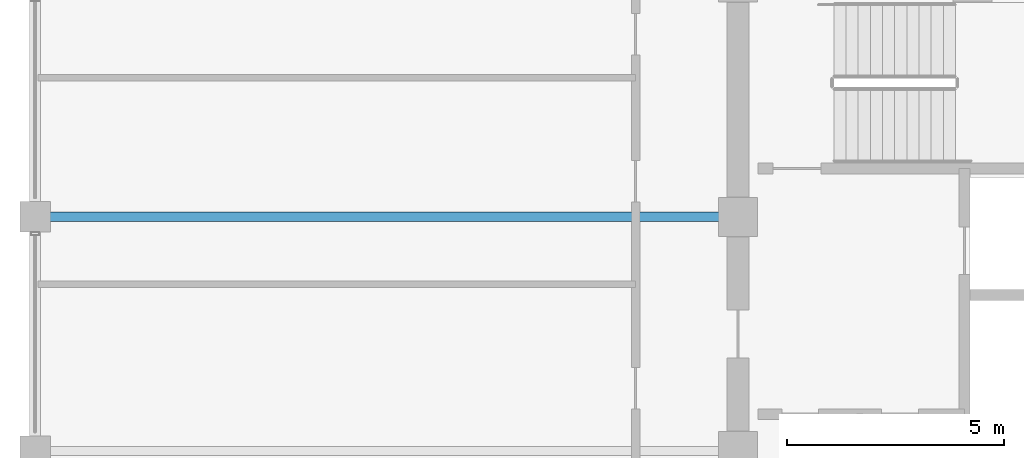
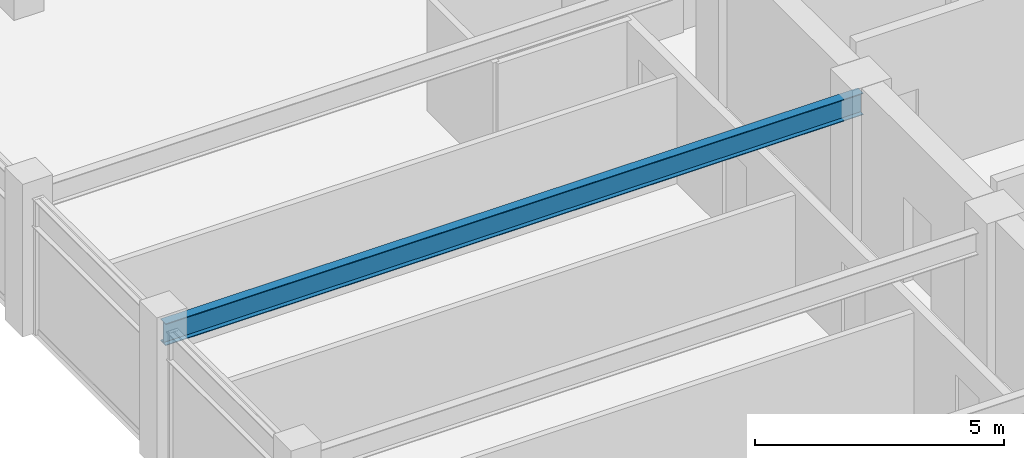
# One storey, part 11 of 31: 1 beam.
"""IFC4 building model written with IfcOpenShell, lengths in metres."""

from ifc_helpers import new_model, si_unit, direction, frame, origin, origin_2d, place, context, subcontext, project, spatial, i_section, extrude, material, material_profile, profile_set, type_object, element, save


model = new_model("IFC4")

# Units and contexts
model_context = context("Model", 3, precision=1e-05, world=origin(), true_north=direction((0.0, 1.0)))
body_context = subcontext(model_context, "Body", "Model", "MODEL_VIEW")
ifc_project = project(units=[si_unit("LENGTHUNIT", "METRE"), si_unit("AREAUNIT", "SQUARE_METRE"), si_unit("VOLUMEUNIT", "CUBIC_METRE"), si_unit("PLANEANGLEUNIT", "RADIAN"), si_unit("MASSUNIT", "GRAM", prefix="KILO")], contexts=[model_context])

# Site, building, storey
site_placement = place(None, origin())
site = spatial("IfcSite", under=ifc_project, at=site_placement, CompositionType="ELEMENT")
building_placement = place(site_placement, origin())
building = spatial("IfcBuilding", under=site, at=building_placement, Name="Surkhivell Harbour Commons", CompositionType="ELEMENT")
storey_placement = place(building_placement, frame((0.0, 0.0, 333.75)))
storey = spatial("IfcBuildingStorey", under=building, at=storey_placement, Name="L87", CompositionType="ELEMENT", Elevation=333.75)

# Beam
ifc_material = material(Name="Steel S355", Category="steel")
ifc_material_profile = material_profile(ifc_material, i_section(OverallWidth=0.2099609375, OverallDepth=0.537109375, WebThickness=0.0107421875, FlangeThickness=0.017333984375, at=origin_2d()), Name="UB533x210x101")
ifc_profile_set = profile_set([ifc_material_profile], Name="Steel S355")
beam_type = type_object("IfcBeamType", Name="BM-GRD-533B", PredefinedType="BEAM", material=ifc_profile_set)
beam_placement = place(storey_placement, frame((-27.0, 5.39990234375, 3.0615234375), z_axis=(1.0, 0.0, 0.0), x_axis=(0.0, 1.0, 0.0)))
element("IfcBeam", 1, at=beam_placement, inside=storey, type_object=beam_type, Name="L87 Floor Girder (-27.0,5.4)", PredefinedType="BEAM", context=body_context, shape_type="SweptSolid", body=[
    extrude(i_section(OverallWidth=0.2099609375, OverallDepth=0.537109375, WebThickness=0.0107421875, FlangeThickness=0.017333984375, at=origin_2d()), origin(), (0.0, 0.0, 1.0), 16.199951171875),
])

save(model, "model.ifc")
